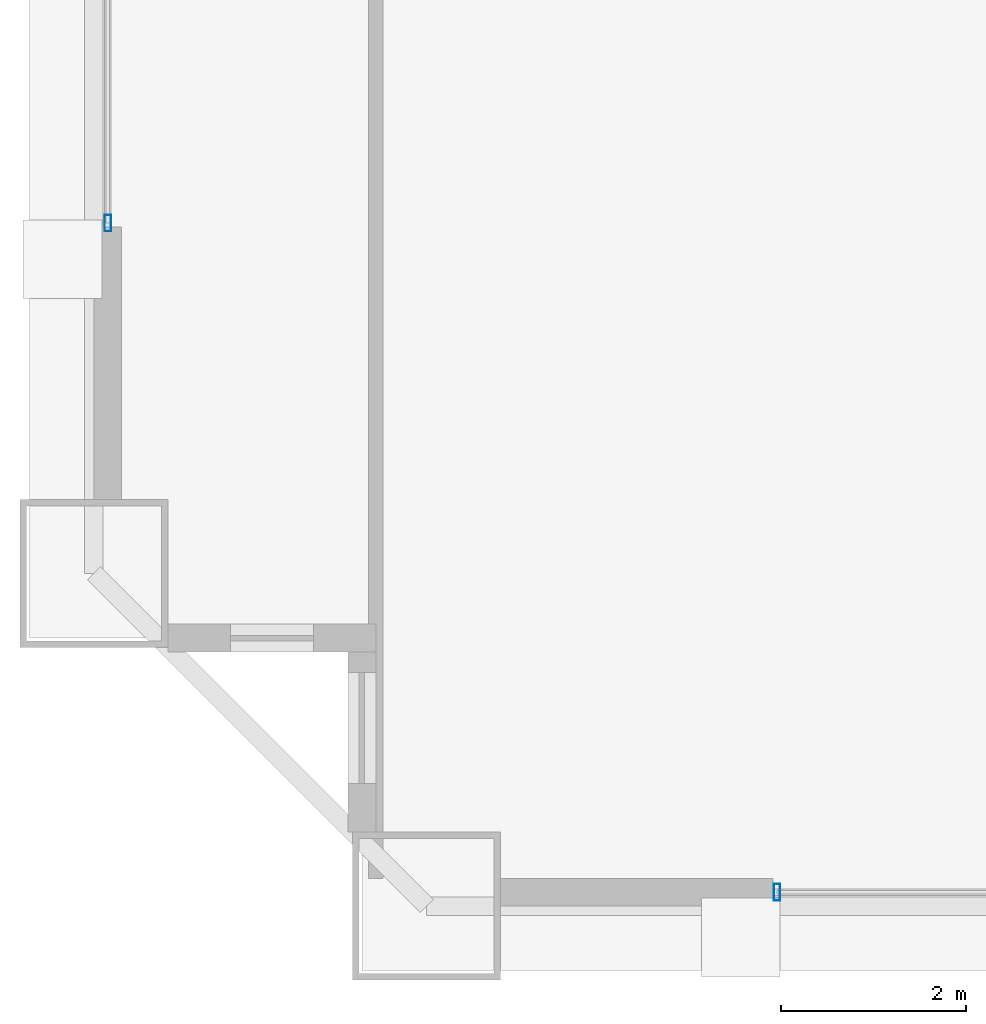
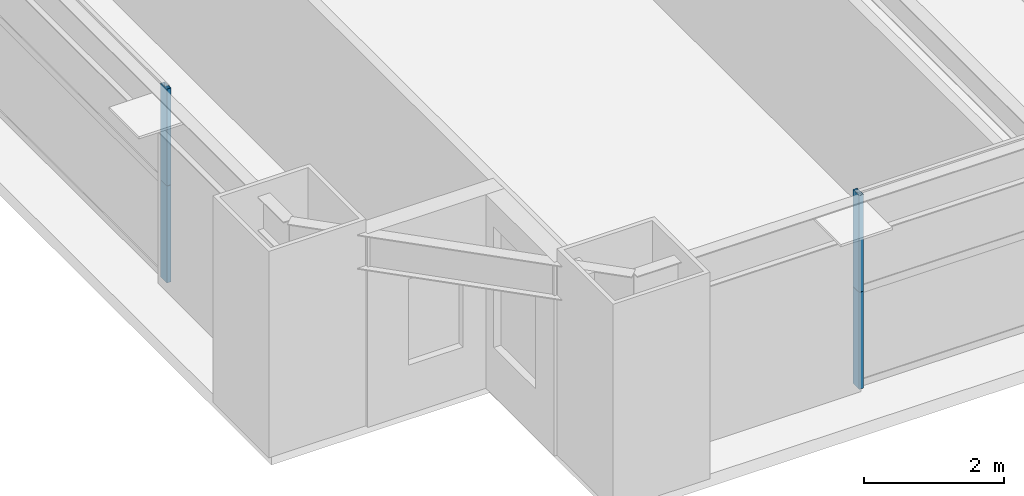
# One storey, part 3 of 38: 4 members, 2 elements without a shape of their own.
"""IFC4 building model written with IfcOpenShell, lengths in metres."""

import ifcopenshell
import ifcopenshell.guid

model = None  # the IFC model being written
_history = None  # IfcOwnerHistory: only IFC2X3 demands one
_inside = {}  # id of a spatial element -> (the spatial element, [elements in it])
_under = {}  # id of a project, library or spatial element -> (it, [spatial elements below it])
_declared = {}  # id of a project -> (the project, [libraries it declares])
_typed = {}  # id of a type object -> (the type object, [elements of that type])
_made_of = {}  # id of a material, layer set ... -> (it, [elements and type objects made of it])


def new_model(schema):
    """Start an empty IFC model of exactly this schema.

    Asked for "IFC4X3", IfcOpenShell would pick the latest addendum, in which some entities
    have other attributes; the version numbers below select the first issue.
    IFC2X3 requires an IfcOwnerHistory on every rooted entity: one is made here for all.
    """
    global model, _history
    if schema == "IFC4X3":
        model = ifcopenshell.file(schema_version=(4, 3, 0, 0))
    else:
        model = ifcopenshell.file(schema=schema)
    _inside.clear()
    _under.clear()
    _declared.clear()
    _typed.clear()
    _made_of.clear()
    _history = None
    if model.schema == "IFC2X3":
        org = make("IfcOrganization", Name="unknown")
        user = make(
            "IfcPersonAndOrganization",
            ThePerson=make("IfcPerson", FamilyName="unknown"),
            TheOrganization=org,
        )
        app = make(
            "IfcApplication",
            ApplicationDeveloper=org,
            Version="unknown",
            ApplicationFullName="unknown",
            ApplicationIdentifier="unknown",
        )
        _history = make(
            "IfcOwnerHistory",
            OwningUser=user,
            OwningApplication=app,
            ChangeAction="ADDED",
            CreationDate=0,
        )
    return model


def make(cls, **values):
    """One entity of the class cls with the attributes given. An attribute that is None is left unset."""
    return model.create_entity(
        cls, **{name: value for name, value in values.items() if value is not None}
    )


def rooted(cls, **values):
    """An entity with a GlobalId (a new one), such as an element, a storey or a relation."""
    return make(cls, GlobalId=ifcopenshell.guid.new(), OwnerHistory=_history, **values)


def si_unit(unit_type, name, prefix=None):
    """IfcSIUnit, for example si_unit("LENGTHUNIT", "METRE", prefix="MILLI")."""
    return make("IfcSIUnit", UnitType=unit_type, Prefix=prefix, Name=name)


def assignment(units):
    """IfcUnitAssignment: the units of a project."""
    return None if units is None else make("IfcUnitAssignment", Units=units)


def point(xyz):
    """IfcCartesianPoint."""
    return None if xyz is None else make("IfcCartesianPoint", Coordinates=xyz)


def direction(xyz):
    """IfcDirection."""
    return None if xyz is None else make("IfcDirection", DirectionRatios=xyz)


def frame(location, z_axis=None, x_axis=None):
    """IfcAxis2Placement3D, a coordinate frame: its origin and axes. An axis left out is left unset."""
    return make(
        "IfcAxis2Placement3D",
        Location=point(location),
        Axis=direction(z_axis),
        RefDirection=direction(x_axis),
    )


def frame_2d(location, x_axis=None):
    """IfcAxis2Placement2D, a coordinate frame in the plane: its origin and x axis."""
    return make(
        "IfcAxis2Placement2D", Location=point(location), RefDirection=direction(x_axis)
    )


def origin():
    """The frame at (0, 0, 0) with its axes left unset."""
    return frame((0.0, 0.0, 0.0))


def origin_2d():
    """The frame at (0, 0) in the plane with its x axis left unset."""
    return frame_2d((0.0, 0.0))


def place(relative_to, where):
    """IfcLocalPlacement: puts the frame where relative to a parent placement (None: the world)."""
    return make(
        "IfcLocalPlacement", PlacementRelTo=relative_to, RelativePlacement=where
    )


def context(
    kind, dimensions, precision=None, world=None, true_north=None, identifier=None
):
    """IfcGeometricRepresentationContext, for example the 3D "Model" context."""
    return make(
        "IfcGeometricRepresentationContext",
        ContextIdentifier=identifier,
        ContextType=kind,
        CoordinateSpaceDimension=dimensions,
        Precision=precision,
        WorldCoordinateSystem=world,
        TrueNorth=true_north,
    )


def subcontext(parent, identifier, kind, view, scale=None):
    """IfcGeometricRepresentationSubContext, for example "Body" below "Model"."""
    return make(
        "IfcGeometricRepresentationSubContext",
        ContextIdentifier=identifier,
        ContextType=kind,
        ParentContext=parent,
        TargetScale=scale,
        TargetView=view,
    )


def project(units=None, contexts=None):
    """IfcProject with its units and contexts."""
    return rooted(
        "IfcProject",
        Name="project",
        RepresentationContexts=contexts,
        UnitsInContext=assignment(units),
    )


def spatial(cls, under=None, at=None, **own):
    """A site, building, storey or space (cls), placed at a placement, below another one or the project."""
    s = rooted(cls, ObjectPlacement=at, **own)
    if under is not None:
        _under.setdefault(under.id(), (under, []))[1].append(s)
    return s


def profile(cls, at=None, kind="AREA", **sizes):
    """A parametric profile (cls). Its sizes go by their IFC names, for example OverallWidth=200.0."""
    return make(cls, ProfileType=kind, Position=at, **sizes)


def hollow_rectangle(**sizes):
    """IfcRectangleHollowProfileDef."""
    return profile("IfcRectangleHollowProfileDef", **sizes)


def extrude(swept, where, along, depth):
    """IfcExtrudedAreaSolid: the profile swept, set in the frame where, extruded along a direction by depth."""
    return make(
        "IfcExtrudedAreaSolid",
        SweptArea=swept,
        Position=where,
        ExtrudedDirection=direction(along),
        Depth=depth,
    )


def shape(context_of_items, identifier, shape_type, items):
    """IfcShapeRepresentation: the items that make up one representation, for example the "Body"."""
    return make(
        "IfcShapeRepresentation",
        ContextOfItems=context_of_items,
        RepresentationIdentifier=identifier,
        RepresentationType=shape_type,
        Items=items,
    )


def source(mapping_origin, context_of_items, identifier, shape_type, items):
    """IfcRepresentationMap: a shape defined once, which mapped items show again and again."""
    return make(
        "IfcRepresentationMap",
        MappingOrigin=mapping_origin,
        MappedRepresentation=shape(context_of_items, identifier, shape_type, items),
    )


def transform(
    local_origin,
    x_axis=None,
    y_axis=None,
    z_axis=None,
    scale=None,
    scale2=None,
    scale3=None,
    uniform=True,
):
    """IfcCartesianTransformationOperator3D, or its non-uniform kind. x_axis, y_axis, z_axis: its Axis1, 2, 3."""
    if uniform:
        return make(
            "IfcCartesianTransformationOperator3D",
            Axis1=direction(x_axis),
            Axis2=direction(y_axis),
            LocalOrigin=point(local_origin),
            Scale=scale,
            Axis3=direction(z_axis),
        )
    return make(
        "IfcCartesianTransformationOperator3DnonUniform",
        Axis1=direction(x_axis),
        Axis2=direction(y_axis),
        LocalOrigin=point(local_origin),
        Scale=scale,
        Axis3=direction(z_axis),
        Scale2=scale2,
        Scale3=scale3,
    )


def mapped(mapping_source, mapping_target):
    """IfcMappedItem: shows the shape of a source again, moved by a transform."""
    return make(
        "IfcMappedItem", MappingSource=mapping_source, MappingTarget=mapping_target
    )


def material(Name=None, Category=None):
    """IfcMaterial."""
    return make("IfcMaterial", Name=Name, Category=Category)


def layer(
    of_material, thickness, ventilated=None, Name=None, Category=None, Priority=None
):
    """IfcMaterialLayer: one layer of a wall or slab, of a material (None: an air gap)."""
    return make(
        "IfcMaterialLayer",
        Material=of_material,
        LayerThickness=thickness,
        IsVentilated=ventilated,
        Name=Name,
        Category=Category,
        Priority=Priority,
    )


def layer_set(layers, Name=None):
    """IfcMaterialLayerSet."""
    return make("IfcMaterialLayerSet", MaterialLayers=layers, LayerSetName=Name)


def material_profile(
    of_material, cross_section, Name=None, Category=None, Priority=None
):
    """IfcMaterialProfile: a cross section and its material."""
    return make(
        "IfcMaterialProfile",
        Name=Name,
        Material=of_material,
        Profile=cross_section,
        Priority=Priority,
        Category=Category,
    )


def profile_set(profiles, Name=None, composite=None):
    """IfcMaterialProfileSet."""
    return make(
        "IfcMaterialProfileSet",
        Name=Name,
        MaterialProfiles=profiles,
        CompositeProfile=composite,
    )


def made_of(thing, what):
    """Note that an element or type object is made of a material, layer set ...; save() writes the relation."""
    if what is not None:
        _made_of.setdefault(what.id(), (what, []))[1].append(thing)
    return thing


def type_object(cls, material=None, **own):
    """A type object (cls), such as IfcWallType, which elements share."""
    return made_of(rooted(cls, **own), material)


def element(
    cls,
    number,
    at=None,
    inside=None,
    cuts=None,
    type_object=None,
    material=None,
    context=None,
    identifier="Body",
    shape_type=None,
    held_by="IfcProductDefinitionShape",
    body=None,
    shapes=None,
    **own,
):
    """One element of the class cls, such as IfcWall. Its Tag is "e" and its number.

    at: its placement. inside: the storey or other place that contains it. cuts: it is an
    opening in that element (IfcRelVoidsElement). A single representation is given by context,
    identifier, shape_type and body (its items); several are given by shapes. held_by: the class
    of the entity that holds the representations. save() writes the other relations.
    """
    e = rooted(cls, Tag="e%d" % number, ObjectPlacement=at, **own)
    if body is not None:
        shapes = [shape(context, identifier, shape_type, body)]
    if shapes is not None:
        e.Representation = make(held_by, Representations=shapes)
    if inside is not None:
        _inside.setdefault(inside.id(), (inside, []))[1].append(e)
    if cuts is not None:
        rooted(
            "IfcRelVoidsElement", RelatingBuildingElement=cuts, RelatedOpeningElement=e
        )
    if type_object is not None:
        _typed.setdefault(type_object.id(), (type_object, []))[1].append(e)
    return made_of(e, material)


def aggregate(whole, parts):
    """IfcRelAggregates: a whole, such as a stair, and the parts it consists of."""
    return rooted("IfcRelAggregates", RelatingObject=whole, RelatedObjects=parts)


def save(model, path):
    """Write the relations noted so far, then the file.

    IfcRelAggregates (storeys below a building ...), IfcRelContainedInSpatialStructure (elements
    in a storey), IfcRelDefinesByType, IfcRelAssociatesMaterial and IfcRelDeclares: one each for
    every whole, place, type object, material and project.
    """
    for whole, parts in _under.values():
        aggregate(whole, parts)
    for where, things in _inside.values():
        rooted(
            "IfcRelContainedInSpatialStructure",
            RelatedElements=things,
            RelatingStructure=where,
        )
    for kind, things in _typed.values():
        rooted("IfcRelDefinesByType", RelatedObjects=things, RelatingType=kind)
    for what, things in _made_of.values():
        rooted("IfcRelAssociatesMaterial", RelatedObjects=things, RelatingMaterial=what)
    for by, libraries in _declared.values():
        rooted("IfcRelDeclares", RelatingContext=by, RelatedDefinitions=libraries)
    model.write(path)


model = new_model("IFC4")

# Units and contexts
model_context = context("Model", 3, precision=1e-05, world=origin(), true_north=direction((0.0, 1.0)))
body_context = subcontext(model_context, "Body", "Model", "MODEL_VIEW")
ifc_project = project(units=[si_unit("LENGTHUNIT", "METRE"), si_unit("AREAUNIT", "SQUARE_METRE"), si_unit("VOLUMEUNIT", "CUBIC_METRE"), si_unit("PLANEANGLEUNIT", "RADIAN"), si_unit("MASSUNIT", "GRAM", prefix="KILO"), si_unit("THERMODYNAMICTEMPERATUREUNIT", "KELVIN"), si_unit("POWERUNIT", "WATT")], contexts=[model_context])

# Site, building, storey
site_placement = place(None, origin())
site = spatial("IfcSite", under=ifc_project, at=site_placement, CompositionType="ELEMENT")
building_placement = place(site_placement, origin())
building = spatial("IfcBuilding", under=site, at=building_placement, Name="Yuzanri Waterfront Tower", CompositionType="ELEMENT")
storey_placement = place(building_placement, frame((0.0, 0.0, 90.199951171875)))
storey = spatial("IfcBuildingStorey", under=building, at=storey_placement, Name="L23", CompositionType="ELEMENT", Elevation=90.199951171875)

# Curtain wall, members
ifc_material_1 = material(Name="Anodized Architectural Bronze", Category="metal")
ifc_layer = layer(ifc_material_1, 0.159912109375)
ifc_layer_set = layer_set([ifc_layer], Name="Anodized Architectural Bronze")
curtain_wall_type = type_object("IfcCurtainWallType", Name="Anodized Bronze Hotel Upper-Tier Solar-Control Unitized Curtain Wall 7800", PredefinedType="NOTDEFINED", material=ifc_layer_set)
curtain_wall_1_placement = place(storey_placement, origin())
curtain_wall_1 = element("IfcCurtainWall", 1, at=curtain_wall_1_placement, inside=storey, type_object=curtain_wall_type, Name="L23 Curtain Wall CW-L23-SL", PredefinedType="NOTDEFINED")
ifc_material_2 = material(Name="Anodized Architectural Bronze", Category="metal")
ifc_material_profile = material_profile(ifc_material_2, hollow_rectangle(XDim=0.070068359375, YDim=0.179931640625, WallThickness=0.00390625, at=origin_2d()), Name="CWM 70x180")
ifc_profile_set = profile_set([ifc_material_profile], Name="Anodized Architectural Bronze")
member_type = type_object("IfcMemberType", Name="Anodized Bronze Standard Curtain-Wall Mullion 70x180", PredefinedType="MULLION", material=ifc_profile_set)
shared_shape = source(origin(), body_context, "Body", "SweptSolid", [
    extrude(hollow_rectangle(XDim=0.070068359375, YDim=0.179931640625, WallThickness=0.00390625, at=origin_2d()), origin(), (0.0, 0.0, 1.0), 1.68798828125),
])
member_1_placement = place(storey_placement, frame((20.7900390625, 2.35009765625, 0.0), z_axis=(0.0, 0.0, 1.0), x_axis=(1.0, 0.0, 0.0)))
member_1 = element("IfcMember", 2, at=member_1_placement, type_object=member_type, Name="CW-L23-SL Lower Mullion 00", PredefinedType="MULLION", context=body_context, shape_type="MappedRepresentation", body=[
    mapped(shared_shape, transform((0.0, 0.0, 0.0), scale=1.0)),
])
member_2_placement = place(storey_placement, frame((20.7900390625, 2.35009765625, 1.692138671875), z_axis=(0.0, 0.0, 1.0), x_axis=(1.0, 0.0, 0.0)))
member_2 = element("IfcMember", 3, at=member_2_placement, type_object=member_type, Name="CW-L23-SL Upper Mullion 00", PredefinedType="MULLION", context=body_context, shape_type="MappedRepresentation", body=[
    mapped(shared_shape, transform((0.0, 0.0, 0.0), scale=1.0)),
])
aggregate(curtain_wall_1, [member_1, member_2])

curtain_wall_2_placement = place(storey_placement, origin())
curtain_wall_2 = element("IfcCurtainWall", 4, at=curtain_wall_2_placement, inside=storey, type_object=curtain_wall_type, Name="L23 Curtain Wall CW-L23-WL", PredefinedType="NOTDEFINED")
member_3_placement = place(storey_placement, frame((13.550048828125, 9.590087890625, 0.0), z_axis=(0.0, 0.0, 1.0), x_axis=(1.0, 0.0, 0.0)))
member_3 = element("IfcMember", 5, at=member_3_placement, type_object=member_type, Name="CW-L23-WL Lower Mullion 00", PredefinedType="MULLION", context=body_context, shape_type="MappedRepresentation", body=[
    mapped(shared_shape, transform((0.0, 0.0, 0.0), scale=1.0)),
])
member_4_placement = place(storey_placement, frame((13.550048828125, 9.590087890625, 1.692138671875), z_axis=(0.0, 0.0, 1.0), x_axis=(1.0, 0.0, 0.0)))
member_4 = element("IfcMember", 6, at=member_4_placement, type_object=member_type, Name="CW-L23-WL Upper Mullion 00", PredefinedType="MULLION", context=body_context, shape_type="MappedRepresentation", body=[
    mapped(shared_shape, transform((0.0, 0.0, 0.0), scale=1.0)),
])
aggregate(curtain_wall_2, [member_3, member_4])

save(model, "model.ifc")
